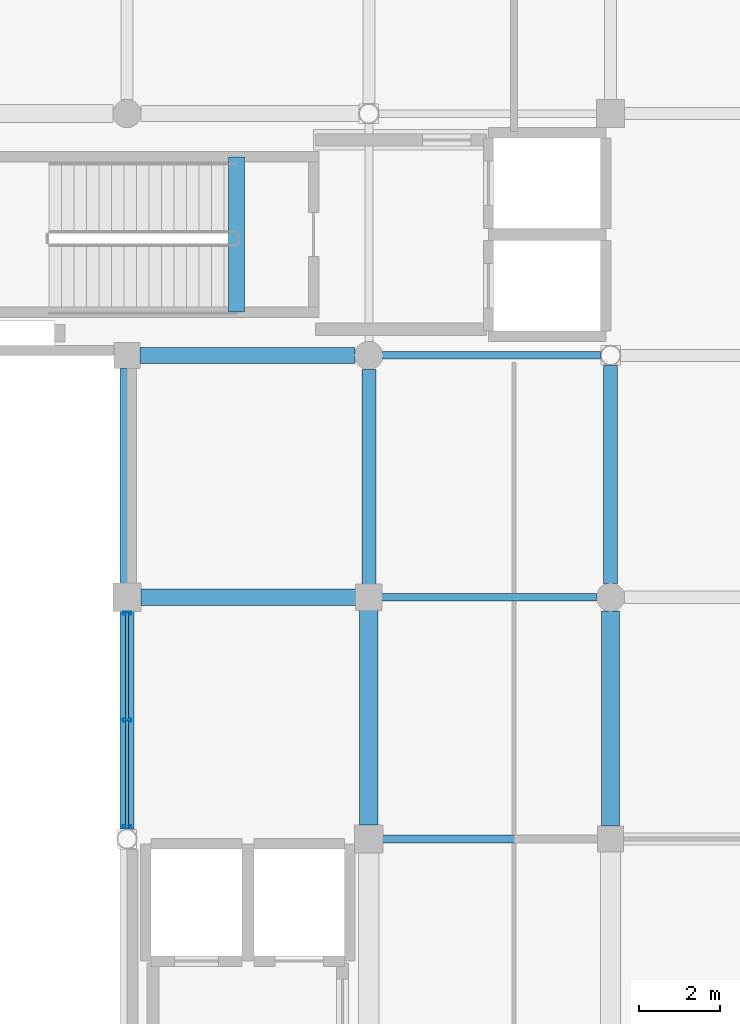
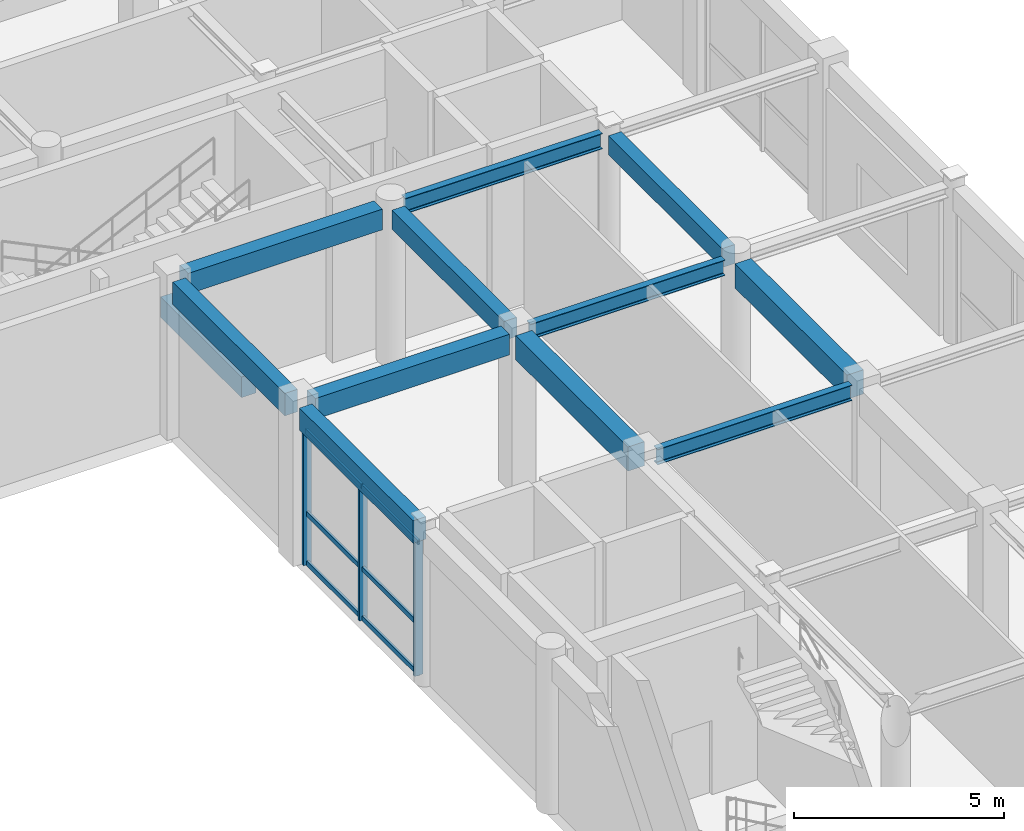
# One storey, part 76 of 112: 12 beams, 9 members, 1 element without a shape of its own.
"""IFC4 building model written with IfcOpenShell, lengths in metres."""

from ifc_helpers import new_model, si_unit, direction, frame, origin, origin_2d, place, context, subcontext, project, spatial, rectangle, hollow_rectangle, i_section, extrude, material, material_profile, profile_set, type_object, element, aggregate, save


model = new_model("IFC4")

# Units and contexts
model_context = context("Model", 3, precision=1e-05, world=origin(), true_north=direction((0.0, 1.0)))
body_context = subcontext(model_context, "Body", "Model", "MODEL_VIEW")
ifc_project = project(units=[si_unit("LENGTHUNIT", "METRE"), si_unit("AREAUNIT", "SQUARE_METRE"), si_unit("VOLUMEUNIT", "CUBIC_METRE"), si_unit("PLANEANGLEUNIT", "RADIAN"), si_unit("MASSUNIT", "GRAM", prefix="KILO"), si_unit("THERMODYNAMICTEMPERATUREUNIT", "KELVIN"), si_unit("POWERUNIT", "WATT")], contexts=[model_context])

# Site, building, storey
site_placement = place(None, origin())
site = spatial("IfcSite", under=ifc_project, at=site_placement, CompositionType="ELEMENT")
building_placement = place(site_placement, origin())
building = spatial("IfcBuilding", under=site, at=building_placement, Name="Phaisarnlok Congress Hotel", CompositionType="ELEMENT")
storey_placement = place(building_placement, frame((0.0, 0.0, 19.800048828125)))
storey = spatial("IfcBuildingStorey", under=building, at=storey_placement, Name="L04", CompositionType="ELEMENT", Elevation=19.800048828125)

# Beams
ifc_material_1 = material(Name="Concrete C40/50", Category="concrete")
ifc_material_profile_1 = material_profile(ifc_material_1, rectangle(XDim=0.35009765625, YDim=0.550048828125, at=origin_2d()), Name="RC 350x550")
ifc_profile_set_1 = profile_set([ifc_material_profile_1], Name="Concrete C40/50")
beam_type_1 = type_object("IfcBeamType", Name="BM-RC-350x550", PredefinedType="BEAM", material=ifc_profile_set_1)
beam_1_placement = place(storey_placement, frame((168.0, 102.320068359375, 4.27490234375), z_axis=(0.0, 1.0, 0.0), x_axis=(-1.0, 0.0, 0.0)))
element("IfcBeam", 1, at=beam_1_placement, inside=storey, type_object=beam_type_1, Name="Beam B-01", PredefinedType="BEAM", context=body_context, shape_type="SweptSolid", body=[
    extrude(rectangle(XDim=0.35009765625, YDim=0.550048828125, at=origin_2d()), origin(), (0.0, 0.0, 1.0), 5.3349609375),
])
beam_2_placement = place(storey_placement, frame((174.0, 102.344970703125, 4.27490234375), z_axis=(0.0, 1.0, 0.0), x_axis=(-1.0, 0.0, 0.0)))
element("IfcBeam", 2, at=beam_2_placement, inside=storey, type_object=beam_type_1, Name="Beam B-01", PredefinedType="BEAM", context=body_context, shape_type="SweptSolid", body=[
    extrude(rectangle(XDim=0.35009765625, YDim=0.550048828125, at=origin_2d()), origin(), (0.0, 0.0, 1.0), 5.406005859375),
])
ifc_material_profile_2 = material_profile(ifc_material_1, rectangle(XDim=0.39990234375, YDim=0.60009765625, at=origin_2d()), Name="RC 400x600")
ifc_profile_set_2 = profile_set([ifc_material_profile_2], Name="Concrete C40/50")
beam_type_2 = type_object("IfcBeamType", Name="BM-RC-400x600", PredefinedType="BEAM", material=ifc_profile_set_2)
for number, where, z_axis, x_axis, name in (
    (3, (162.344970703125, 102.0, 4.25), (1.0, 0.0, 0.0), (0.0, 1.0, 0.0), "Beam B-02"),
    (4, (162.320068359375, 108.0, 4.25), (1.0, 0.0, 0.0), (0.0, 1.0, 0.0), "Beam B-02"),
):
    element("IfcBeam", number, at=place(storey_placement, frame(where, z_axis=z_axis, x_axis=x_axis)), inside=storey, type_object=beam_type_2, Name=name, PredefinedType="BEAM", context=body_context, shape_type="SweptSolid", body=[
        extrude(rectangle(XDim=0.39990234375, YDim=0.60009765625, at=origin_2d()), origin(), (0.0, 0.0, 1.0), 5.3349609375),
    ])
beam_3_placement = place(storey_placement, frame((164.719970703125, 109.080078125, -0.300048828125), z_axis=(0.0, 1.0, 0.0), x_axis=(-1.0, 0.0, 0.0)))
element("IfcBeam", 5, at=beam_3_placement, inside=storey, type_object=beam_type_2, Name="Stair landing header beam B-02 (CORE-1 L04)", PredefinedType="BEAM", context=body_context, shape_type="SweptSolid", body=[
    extrude(rectangle(XDim=0.39990234375, YDim=0.60009765625, at=origin_2d()), origin(), (0.0, 0.0, 1.0), 3.83984375),
])
ifc_material_profile_3 = material_profile(ifc_material_1, rectangle(XDim=0.449951171875, YDim=0.699951171875, at=origin_2d()), Name="RC 450x700")
ifc_profile_set_3 = profile_set([ifc_material_profile_3], Name="Concrete C40/50")
beam_type_3 = type_object("IfcBeamType", Name="BM-RC-450x700", PredefinedType="BEAM", material=ifc_profile_set_3)
for number, where, z_axis, x_axis, name in (
    (6, (168.0, 96.344970703125, 4.199951171875), (0.0, 1.0, 0.0), (-1.0, 0.0, 0.0), "Beam B-03"),
    (7, (174.0, 96.320068359375, 4.199951171875), (0.0, 1.0, 0.0), (-1.0, 0.0, 0.0), "Beam B-03"),
):
    element("IfcBeam", number, at=place(storey_placement, frame(where, z_axis=z_axis, x_axis=x_axis)), inside=storey, type_object=beam_type_3, Name=name, PredefinedType="BEAM", context=body_context, shape_type="SweptSolid", body=[
        extrude(rectangle(XDim=0.449951171875, YDim=0.699951171875, at=origin_2d()), origin(), (0.0, 0.0, 1.0), 5.3349609375),
    ])
ifc_material_2 = material(Name="Steel S355", Category="steel")
ifc_material_profile_4 = material_profile(ifc_material_2, i_section(OverallWidth=0.18994140625, OverallDepth=0.449951171875, WebThickness=0.009521484375, FlangeThickness=0.0146484375, FilletRadius=0.02099609375, at=origin_2d()), Name="IPE 450")
ifc_profile_set_4 = profile_set([ifc_material_profile_4], Name="Steel S355")
beam_type_4 = type_object("IfcBeamType", Name="BM-STL-IPE450", PredefinedType="BEAM", material=ifc_profile_set_4)
for number, where, z_axis, x_axis, name in (
    (8, (168.344970703125, 96.0, 4.324951171875), (1.0, 0.0, 0.0), (0.0, 1.0, 0.0), "Beam SB-01"),
    (9, (168.320068359375, 102.0, 4.324951171875), (1.0, 0.0, 0.0), (0.0, 1.0, 0.0), "Beam SB-01"),
):
    element("IfcBeam", number, at=place(storey_placement, frame(where, z_axis=z_axis, x_axis=x_axis)), inside=storey, type_object=beam_type_4, Name=name, PredefinedType="BEAM", context=body_context, shape_type="SweptSolid", body=[
        extrude(i_section(OverallWidth=0.18994140625, OverallDepth=0.449951171875, WebThickness=0.009521484375, FlangeThickness=0.0146484375, FilletRadius=0.02099609375, at=origin_2d()), origin(), (0.0, 0.0, 1.0), 5.3349609375),
    ])
beam_4_placement = place(storey_placement, frame((168.344970703125, 108.0, 4.324951171875), z_axis=(1.0, 0.0, 0.0), x_axis=(0.0, 1.0, 0.0)))
element("IfcBeam", 10, at=beam_4_placement, inside=storey, type_object=beam_type_4, Name="Beam SB-01", PredefinedType="BEAM", context=body_context, shape_type="SweptSolid", body=[
    extrude(i_section(OverallWidth=0.18994140625, OverallDepth=0.449951171875, WebThickness=0.009521484375, FlangeThickness=0.0146484375, FilletRadius=0.02099609375, at=origin_2d()), origin(), (0.0, 0.0, 1.0), 5.406005859375),
])

# Curtain wall, members
ifc_material_3 = material(Name="Thermally Broken Unitised Aluminium & Low-E Glazing", Category="aluminium")
curtain_wall_type = type_object("IfcCurtainWallType", Name="CW-UNIT-34", PredefinedType="NOTDEFINED", material=ifc_material_3)
curtain_wall_placement = place(storey_placement, origin())
curtain_wall = element("IfcCurtainWall", 11, at=curtain_wall_placement, inside=storey, type_object=curtain_wall_type, Name="Unitised curtain wall CW-34 (L04)", PredefinedType="NOTDEFINED")
ifc_material_4 = material(Name="Anodised Aluminium Alloy 6063-T6", Category="aluminium")
ifc_material_profile_5 = material_profile(ifc_material_4, hollow_rectangle(XDim=0.074951171875, YDim=0.219970703125, WallThickness=0.0048828125, at=origin_2d()), Name="ALU-M 75x220x5")
ifc_profile_set_5 = profile_set([ifc_material_profile_5], Name="Anodised Aluminium Alloy 6063-T6")
member_type_1 = type_object("IfcMemberType", Name="CWM-220", PredefinedType="MULLION", material=ifc_profile_set_5)
member_1_placement = place(storey_placement, frame((162.0, 101.60009765625, 0.0), z_axis=(0.0, 0.0, 1.0), x_axis=(0.0, -1.0, 0.0)))
member_1 = element("IfcMember", 12, at=member_1_placement, type_object=member_type_1, Name="Curtain wall mullion CWM-02", PredefinedType="MULLION", context=body_context, shape_type="SweptSolid", body=[
    extrude(hollow_rectangle(XDim=0.074951171875, YDim=0.219970703125, WallThickness=0.0048828125, at=origin_2d()), origin(), (0.0, 0.0, 1.0), 3.89990234375),
])
member_2_placement = place(storey_placement, frame((162.0, 98.951904296875, 0.0), z_axis=(0.0, 0.0, 1.0), x_axis=(0.0, -1.0, 0.0)))
member_2 = element("IfcMember", 13, at=member_2_placement, type_object=member_type_1, Name="Curtain wall mullion CWM-02", PredefinedType="MULLION", context=body_context, shape_type="SweptSolid", body=[
    extrude(hollow_rectangle(XDim=0.074951171875, YDim=0.219970703125, WallThickness=0.0048828125, at=origin_2d()), origin(), (0.0, 0.0, 1.0), 3.89990234375),
])
member_3_placement = place(storey_placement, frame((162.0, 96.303955078125, 0.0), z_axis=(0.0, 0.0, 1.0), x_axis=(0.0, -1.0, 0.0)))
member_3 = element("IfcMember", 14, at=member_3_placement, type_object=member_type_1, Name="Curtain wall mullion CWM-02", PredefinedType="MULLION", context=body_context, shape_type="SweptSolid", body=[
    extrude(hollow_rectangle(XDim=0.074951171875, YDim=0.219970703125, WallThickness=0.0048828125, at=origin_2d()), origin(), (0.0, 0.0, 1.0), 3.89990234375),
])
ifc_material_profile_6 = material_profile(ifc_material_4, hollow_rectangle(XDim=0.06494140625, YDim=0.139892578125, WallThickness=0.00390625, at=origin_2d()), Name="ALU-T 65x140x4")
ifc_profile_set_6 = profile_set([ifc_material_profile_6], Name="Anodised Aluminium Alloy 6063-T6")
member_type_2 = type_object("IfcMemberType", Name="CWT-150", PredefinedType="USERDEFINED", material=ifc_profile_set_6)
member_4_placement = place(storey_placement, frame((162.0, 101.625, 0.050048828125), z_axis=(0.0, -1.0, 0.0), x_axis=(1.0, 0.0, 0.0)))
member_4 = element("IfcMember", 15, at=member_4_placement, type_object=member_type_2, Name="Curtain wall transom CWT-01", ObjectType="TRANSOM", PredefinedType="USERDEFINED", context=body_context, shape_type="SweptSolid", body=[
    extrude(hollow_rectangle(XDim=0.06494140625, YDim=0.139892578125, WallThickness=0.00390625, at=origin_2d()), origin(), (0.0, 0.0, 1.0), 2.657958984375),
])
member_5_placement = place(storey_placement, frame((162.0, 101.625, 1.48193359375), z_axis=(0.0, -1.0, 0.0), x_axis=(1.0, 0.0, 0.0)))
member_5 = element("IfcMember", 16, at=member_5_placement, type_object=member_type_2, Name="Curtain wall transom CWT-01", ObjectType="TRANSOM", PredefinedType="USERDEFINED", context=body_context, shape_type="SweptSolid", body=[
    extrude(hollow_rectangle(XDim=0.06494140625, YDim=0.139892578125, WallThickness=0.00390625, at=origin_2d()), origin(), (0.0, 0.0, 1.0), 2.657958984375),
])
member_6_placement = place(storey_placement, frame((162.0, 101.625, 3.849853515625), z_axis=(0.0, -1.0, 0.0), x_axis=(1.0, 0.0, 0.0)))
member_6 = element("IfcMember", 17, at=member_6_placement, type_object=member_type_2, Name="Curtain wall transom CWT-01", ObjectType="TRANSOM", PredefinedType="USERDEFINED", context=body_context, shape_type="SweptSolid", body=[
    extrude(hollow_rectangle(XDim=0.06494140625, YDim=0.139892578125, WallThickness=0.00390625, at=origin_2d()), origin(), (0.0, 0.0, 1.0), 2.657958984375),
])
member_7_placement = place(storey_placement, frame((162.0, 98.93701171875, 0.050048828125), z_axis=(0.0, -1.0, 0.0), x_axis=(1.0, 0.0, 0.0)))
member_7 = element("IfcMember", 18, at=member_7_placement, type_object=member_type_2, Name="Curtain wall transom CWT-01", ObjectType="TRANSOM", PredefinedType="USERDEFINED", context=body_context, shape_type="SweptSolid", body=[
    extrude(hollow_rectangle(XDim=0.06494140625, YDim=0.139892578125, WallThickness=0.00390625, at=origin_2d()), origin(), (0.0, 0.0, 1.0), 2.657958984375),
])
member_8_placement = place(storey_placement, frame((162.0, 98.93701171875, 1.48193359375), z_axis=(0.0, -1.0, 0.0), x_axis=(1.0, 0.0, 0.0)))
member_8 = element("IfcMember", 19, at=member_8_placement, type_object=member_type_2, Name="Curtain wall transom CWT-01", ObjectType="TRANSOM", PredefinedType="USERDEFINED", context=body_context, shape_type="SweptSolid", body=[
    extrude(hollow_rectangle(XDim=0.06494140625, YDim=0.139892578125, WallThickness=0.00390625, at=origin_2d()), origin(), (0.0, 0.0, 1.0), 2.657958984375),
])
member_9_placement = place(storey_placement, frame((162.0, 98.93701171875, 3.849853515625), z_axis=(0.0, -1.0, 0.0), x_axis=(1.0, 0.0, 0.0)))
member_9 = element("IfcMember", 20, at=member_9_placement, type_object=member_type_2, Name="Curtain wall transom CWT-01", ObjectType="TRANSOM", PredefinedType="USERDEFINED", context=body_context, shape_type="SweptSolid", body=[
    extrude(hollow_rectangle(XDim=0.06494140625, YDim=0.139892578125, WallThickness=0.00390625, at=origin_2d()), origin(), (0.0, 0.0, 1.0), 2.657958984375),
])
aggregate(curtain_wall, [member_1, member_2, member_3, member_4, member_5, member_6, member_7, member_8, member_9])

# Beams
ifc_material_profile_7 = material_profile(ifc_material_1, rectangle(XDim=0.35009765625, YDim=0.64990234375, at=origin_2d()), Name="RC 350x650")
ifc_profile_set_7 = profile_set([ifc_material_profile_7], Name="Concrete C40/50")
beam_type_5 = type_object("IfcBeamType", Name="SP-RC-350x650", PredefinedType="SPANDREL", material=ifc_profile_set_7)
beam_5_placement = place(storey_placement, frame((162.0, 96.2490234375, 4.224853515625), z_axis=(0.0, 1.0, 0.0), x_axis=(-1.0, 0.0, 0.0)))
element("IfcBeam", 21, at=beam_5_placement, inside=storey, type_object=beam_type_5, Name="Beam SP-01", PredefinedType="SPANDREL", context=body_context, shape_type="SweptSolid", body=[
    extrude(rectangle(XDim=0.35009765625, YDim=0.64990234375, at=origin_2d()), origin(), (0.0, 0.0, 1.0), 5.406005859375),
])
beam_6_placement = place(storey_placement, frame((162.0, 102.344970703125, 4.224853515625), z_axis=(0.0, 1.0, 0.0), x_axis=(-1.0, 0.0, 0.0)))
element("IfcBeam", 22, at=beam_6_placement, inside=storey, type_object=beam_type_5, Name="Beam SP-01", PredefinedType="SPANDREL", context=body_context, shape_type="SweptSolid", body=[
    extrude(rectangle(XDim=0.35009765625, YDim=0.64990234375, at=origin_2d()), origin(), (0.0, 0.0, 1.0), 5.3349609375),
])

save(model, "model.ifc")
